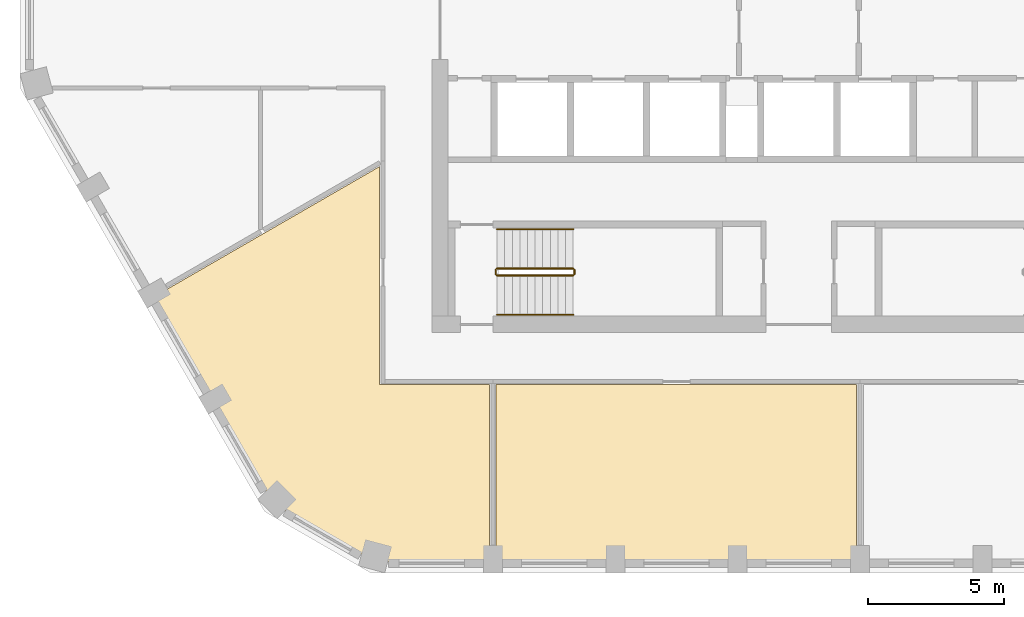
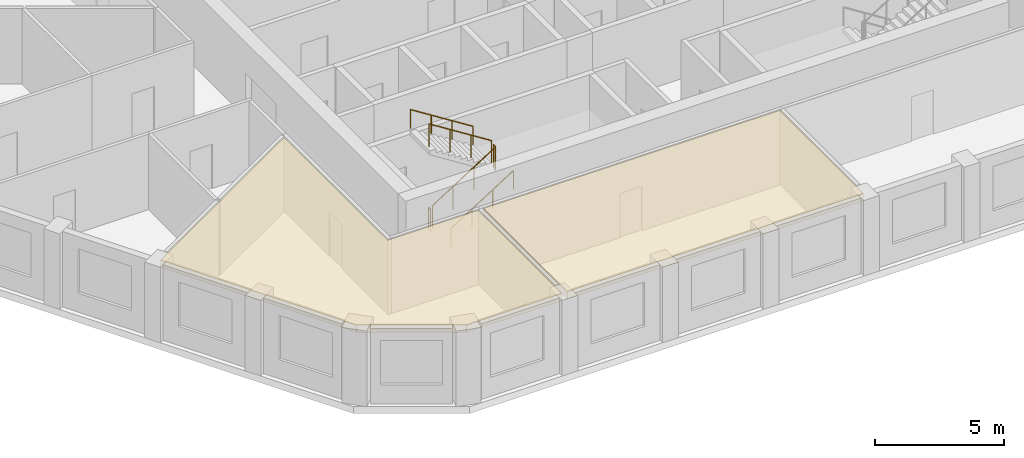
# One storey, part 8 of 11: 6 railings, 2 coverings.
"""IFC4 building model written with IfcOpenShell, lengths in metres."""

from ifc_helpers import new_model, si_unit, direction, frame, origin, origin_2d, place, context, subcontext, project, spatial, polyline, circle, outline, extrude, material, layer, layer_set, type_object, element, save


model = new_model("IFC4")

# Units and contexts
model_context = context("Model", 3, precision=1e-05, world=origin(), true_north=direction((0.0, 1.0)))
body_context = subcontext(model_context, "Body", "Model", "MODEL_VIEW")
ifc_project = project(units=[si_unit("LENGTHUNIT", "METRE"), si_unit("AREAUNIT", "SQUARE_METRE"), si_unit("VOLUMEUNIT", "CUBIC_METRE"), si_unit("PLANEANGLEUNIT", "RADIAN"), si_unit("MASSUNIT", "GRAM", prefix="KILO")], contexts=[model_context])

# Site, building, storey
site_placement = place(None, origin())
site = spatial("IfcSite", under=ifc_project, at=site_placement, CompositionType="ELEMENT")
building_placement = place(site_placement, origin())
building = spatial("IfcBuilding", under=site, at=building_placement, Name="Dhurran Vertical Campus", CompositionType="ELEMENT")
storey_placement = place(building_placement, frame((0.0, 0.0, 274.199951171875)))
storey = spatial("IfcBuildingStorey", under=building, at=storey_placement, Name="L68", CompositionType="ELEMENT", Elevation=274.199951171875)

# Railings
ifc_material_1 = material(Name="Stainless steel balustrade", Category="steel")
railing_type_1 = type_object("IfcRailingType", Name="co-RL-GUARD-1100", PredefinedType="GUARDRAIL", material=ifc_material_1)
railing_1_placement = place(storey_placement, frame((-11.10009765625, -9.14990234375, 0.17724609375)))
element("IfcRailing", 1, at=railing_1_placement, inside=storey, type_object=railing_type_1, Name="L68 ST3 stair guard 1", PredefinedType="GUARDRAIL", context=body_context, shape_type="SweptSolid", body=[
    extrude(circle(Radius=0.02392578125, at=origin_2d()), frame((0.0, 0.0, 1.076171875), z_axis=(0.844908973607, 0.0, 0.534910110503), x_axis=(0.0, 1.0, 0.0)), (0.0, 0.0, 1.0), 3.31396484375),
    extrude(circle(Radius=0.02099609375, at=origin_2d()), origin(), (0.0, 0.0, 1.0), 1.052001953125),
    extrude(circle(Radius=0.02099609375, at=origin_2d()), frame((0.933349609375, 0.0, 0.5908203125)), (0.0, 0.0, 1.0), 1.052001953125),
    extrude(circle(Radius=0.02099609375, at=origin_2d()), frame((1.86669921875, 0.0, 1.181884765625)), (0.0, 0.0, 1.0), 1.052001953125),
    extrude(circle(Radius=0.02099609375, at=origin_2d()), frame((2.800048828125, 0.0, 1.772705078125)), (0.0, 0.0, 1.0), 1.052001953125),
])
railing_2_placement = place(storey_placement, frame((-8.25, -9.10009765625, 1.949951171875)))
element("IfcRailing", 2, at=railing_2_placement, inside=storey, type_object=railing_type_1, Name="L68 ST3 stair guard 2", PredefinedType="GUARDRAIL", context=body_context, shape_type="SweptSolid", body=[
    extrude(circle(Radius=0.02392578125, at=origin_2d()), frame((0.0, 0.0, 1.076171875), z_axis=(0.0, 1.0, 0.0), x_axis=(-1.0, 0.0, 0.0)), (0.0, 0.0, 1.0), 0.150146484375),
    extrude(circle(Radius=0.02099609375, at=origin_2d()), origin(), (0.0, 0.0, 1.0), 1.052001953125),
    extrude(circle(Radius=0.02099609375, at=origin_2d()), frame((0.0, 0.150146484375, 0.0)), (0.0, 0.0, 1.0), 1.052001953125),
])
railing_3_placement = place(storey_placement, frame((-8.300048828125, -8.89990234375, 2.12744140625)))
element("IfcRailing", 3, at=railing_3_placement, inside=storey, type_object=railing_type_1, Name="L68 ST3 stair guard 3", PredefinedType="GUARDRAIL", context=body_context, shape_type="SweptSolid", body=[
    extrude(circle(Radius=0.02392578125, at=origin_2d()), frame((0.0, 0.0, 1.076171875), z_axis=(-0.844908973607, 0.0, 0.534910110503), x_axis=(0.0, -1.0, 0.0)), (0.0, 0.0, 1.0), 3.31396484375),
    extrude(circle(Radius=0.02099609375, at=origin_2d()), origin(), (0.0, 0.0, 1.0), 1.052001953125),
    extrude(circle(Radius=0.02099609375, at=origin_2d()), frame((-0.933349609375, 0.0, 0.5908203125)), (0.0, 0.0, 1.0), 1.052001953125),
    extrude(circle(Radius=0.02099609375, at=origin_2d()), frame((-1.86669921875, 0.0, 1.181884765625)), (0.0, 0.0, 1.0), 1.052001953125),
    extrude(circle(Radius=0.02099609375, at=origin_2d()), frame((-2.800048828125, 0.0, 1.772705078125)), (0.0, 0.0, 1.0), 1.052001953125),
])
railing_4_placement = place(storey_placement, frame((-11.14990234375, -9.10009765625, 0.0)))
element("IfcRailing", 4, at=railing_4_placement, inside=storey, type_object=railing_type_1, Name="L68 ST3 stair guard 4", PredefinedType="GUARDRAIL", context=body_context, shape_type="SweptSolid", body=[
    extrude(circle(Radius=0.02392578125, at=origin_2d()), frame((0.0, 0.0, 1.076171875), z_axis=(0.0, 1.0, 0.0), x_axis=(-1.0, 0.0, 0.0)), (0.0, 0.0, 1.0), 0.150146484375),
    extrude(circle(Radius=0.02099609375, at=origin_2d()), origin(), (0.0, 0.0, 1.0), 1.052001953125),
    extrude(circle(Radius=0.02099609375, at=origin_2d()), frame((0.0, 0.150146484375, 0.0)), (0.0, 0.0, 1.0), 1.052001953125),
])
ifc_material_2 = material(Name="Stainless steel handrail", Category="steel")
railing_type_2 = type_object("IfcRailingType", Name="co-RL-HANDRAIL-900", PredefinedType="HANDRAIL", material=ifc_material_2)
railing_5_placement = place(storey_placement, frame((-11.10009765625, -10.60009765625, 0.17724609375)))
element("IfcRailing", 5, at=railing_5_placement, inside=storey, type_object=railing_type_2, Name="L68 ST3 stair handrail 1", PredefinedType="HANDRAIL", context=body_context, shape_type="SweptSolid", body=[
    extrude(circle(Radius=0.02392578125, at=origin_2d()), frame((0.0, 0.0, 0.8759765625), z_axis=(0.844908973607, 0.0, 0.534910110503), x_axis=(0.0, 1.0, 0.0)), (0.0, 0.0, 1.0), 3.31396484375),
    extrude(circle(Radius=0.02099609375, at=origin_2d()), origin(), (0.0, 0.0, 1.0), 0.851806640625),
    extrude(circle(Radius=0.02099609375, at=origin_2d()), frame((0.933349609375, 0.0, 0.5908203125)), (0.0, 0.0, 1.0), 0.851806640625),
    extrude(circle(Radius=0.02099609375, at=origin_2d()), frame((1.86669921875, 0.0, 1.181884765625)), (0.0, 0.0, 1.0), 0.851806640625),
    extrude(circle(Radius=0.02099609375, at=origin_2d()), frame((2.800048828125, 0.0, 1.772705078125)), (0.0, 0.0, 1.0), 0.851806640625),
])
railing_6_placement = place(storey_placement, frame((-8.300048828125, -7.449951171875, 2.12744140625)))
element("IfcRailing", 6, at=railing_6_placement, inside=storey, type_object=railing_type_2, Name="L68 ST3 stair handrail 2", PredefinedType="HANDRAIL", context=body_context, shape_type="SweptSolid", body=[
    extrude(circle(Radius=0.02392578125, at=origin_2d()), frame((0.0, 0.0, 0.8759765625), z_axis=(-0.844908973607, 0.0, 0.534910110503), x_axis=(0.0, -1.0, 0.0)), (0.0, 0.0, 1.0), 3.31396484375),
    extrude(circle(Radius=0.02099609375, at=origin_2d()), origin(), (0.0, 0.0, 1.0), 0.851806640625),
    extrude(circle(Radius=0.02099609375, at=origin_2d()), frame((-0.933349609375, 0.0, 0.5908203125)), (0.0, 0.0, 1.0), 0.851806640625),
    extrude(circle(Radius=0.02099609375, at=origin_2d()), frame((-1.86669921875, 0.0, 1.181884765625)), (0.0, 0.0, 1.0), 0.851806640625),
    extrude(circle(Radius=0.02099609375, at=origin_2d()), frame((-2.800048828125, 0.0, 1.772705078125)), (0.0, 0.0, 1.0), 0.851806640625),
])

# Coverings
ifc_material_3 = material(Name="Mineral fibre ceiling tiles on suspended grid")
ifc_layer = layer(ifc_material_3, 0.35009765625)
ifc_layer_set = layer_set([ifc_layer], Name="Mineral fibre ceiling tiles on suspended grid")
covering_type = type_object("IfcCoveringType", Name="fl-CE-350 suspended ceiling", PredefinedType="CEILING", material=ifc_layer_set)
covering_1_placement = place(storey_placement, frame((0.0, 0.0, 3.22509765625)))
element("IfcCovering", 7, at=covering_1_placement, inside=storey, type_object=covering_type, Name="Ceiling 68-07", PredefinedType="CEILING", context=body_context, shape_type="SweptSolid", body=[
    extrude(outline(polyline([(-15.637939453125, -19.66796875), (-19.339111328125, -17.531005859375), (-23.722900390625, -9.93798828125), (-15.419921875, -5.14404296875), (-15.419921875, -13.169921875), (-11.3701171875, -13.169921875), (-11.3701171875, -19.66796875), (-15.637939453125, -19.66796875)])), origin(), (0.0, 0.0, 1.0), 0.349853515625),
])
covering_2_placement = place(storey_placement, frame((0.0, 0.0, 3.22509765625)))
element("IfcCovering", 8, at=covering_2_placement, inside=storey, type_object=covering_type, Name="Ceiling 68-09", PredefinedType="CEILING", context=body_context, shape_type="SweptSolid", body=[
    extrude(outline(polyline([(2.1298828125, -19.66796875), (-11.1298828125, -19.66796875), (-11.1298828125, -13.169921875), (2.1298828125, -13.169921875), (2.1298828125, -19.66796875)])), origin(), (0.0, 0.0, 1.0), 0.349853515625),
])

save(model, "model.ifc")
